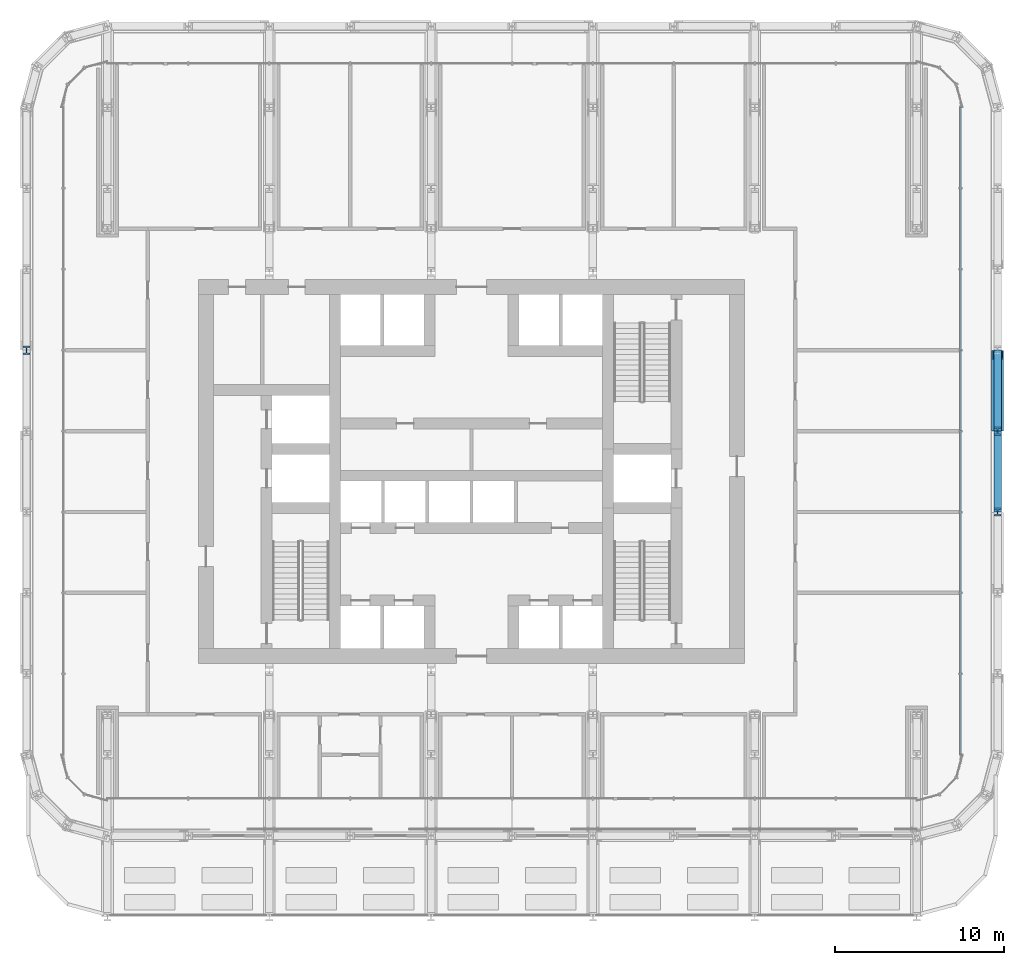
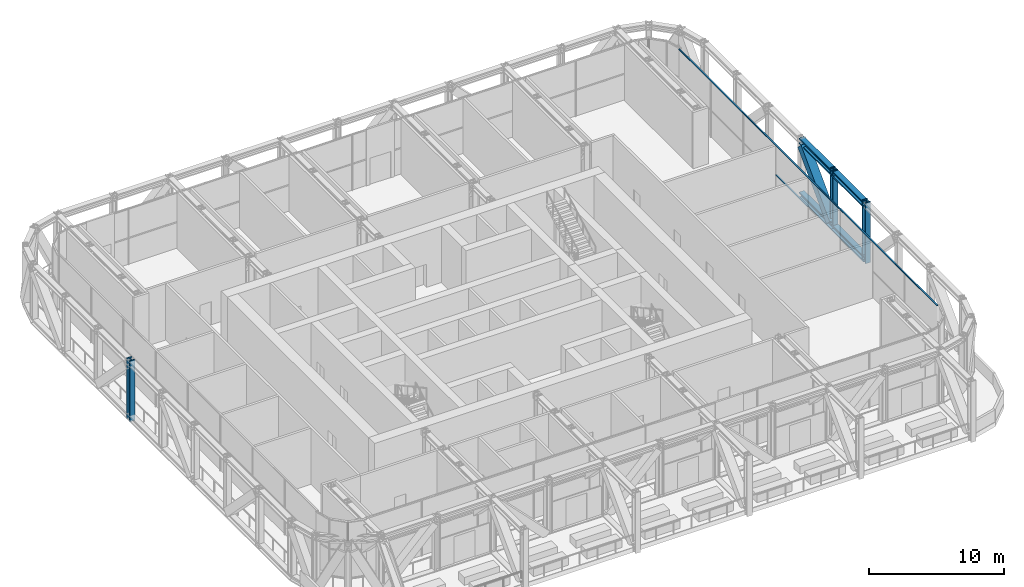
# One storey, part 7 of 23: 10 members, 1 element without a shape of its own.
"""IFC4 building model written with IfcOpenShell, lengths in metres."""

from ifc_helpers import new_model, si_unit, direction, frame, origin, origin_2d, place, context, subcontext, project, spatial, rectangle, hollow_rectangle, i_section, extrude, material, layer, layer_set, material_profile, profile_set, type_object, element, aggregate, save


model = new_model("IFC4")

# Units and contexts
model_context = context("Model", 3, precision=1e-05, world=origin(), true_north=direction((0.0, 1.0)))
body_context = subcontext(model_context, "Body", "Model", "MODEL_VIEW")
ifc_project = project(units=[si_unit("LENGTHUNIT", "METRE"), si_unit("AREAUNIT", "SQUARE_METRE"), si_unit("VOLUMEUNIT", "CUBIC_METRE"), si_unit("PLANEANGLEUNIT", "RADIAN"), si_unit("MASSUNIT", "GRAM", prefix="KILO")], contexts=[model_context])

# Site, building, storey
site_placement = place(None, origin())
site = spatial("IfcSite", under=ifc_project, at=site_placement, CompositionType="ELEMENT")
building_placement = place(site_placement, origin())
building = spatial("IfcBuilding", under=site, at=building_placement, Name="Madar Terraces", CompositionType="ELEMENT")
storey_placement = place(building_placement, frame((0.0, 0.0, 83.800048828125)))
storey = spatial("IfcBuildingStorey", under=building, at=storey_placement, Name="L21", CompositionType="ELEMENT", Elevation=83.800048828125)

# Members
ifc_material_1 = material(Name="Steel ASTM A913 Grade 65", Category="steel")
ifc_material_profile_1 = material_profile(ifc_material_1, i_section(OverallWidth=0.449462890625, OverallDepth=0.548583984375, WebThickness=0.07177734375, FlangeThickness=0.11474609375, at=origin_2d()), Name="W14x665")
ifc_profile_set_1 = profile_set([ifc_material_profile_1], Name="Steel ASTM A913 Grade 65")
member_type_1 = type_object("IfcMemberType", Name="BC3 W14x665", PredefinedType="CHORD", material=ifc_profile_set_1)
for number, where, z_axis, x_axis, name in (
    (1, (62.39990234375, 24.0, -0.145751953125), (0.0, 1.0, 0.0), (-1.0, 0.0, 0.0), "Exoskeleton truss ring bottom chord BC3"),
    (2, (62.39990234375, 28.800048828125, -0.145751953125), (0.0, 1.0, 0.0), (-1.0, 0.0, 0.0), "Exoskeleton truss ring bottom chord BC3"),
):
    element("IfcMember", number, at=place(storey_placement, frame(where, z_axis=z_axis, x_axis=x_axis)), inside=storey, type_object=member_type_1, Name=name, PredefinedType="CHORD", context=body_context, shape_type="SweptSolid", body=[
        extrude(i_section(OverallWidth=0.449462890625, OverallDepth=0.548583984375, WebThickness=0.07177734375, FlangeThickness=0.11474609375, at=origin_2d()), origin(), (0.0, 0.0, 1.0), 4.800048828125),
    ])

# Curtain wall, members
ifc_material_2 = material(Name="Glass, ceramic frit dark grey, with black aluminium frame", Category="aluminium")
ifc_layer = layer(ifc_material_2, 0.199951171875)
ifc_layer_set = layer_set([ifc_layer], Name="Facade curtain wall, tall glazing")
curtain_wall_type = type_object("IfcCurtainWallType", Name="Facade curtain wall, tall glazing", PredefinedType="NOTDEFINED", material=ifc_layer_set)
curtain_wall_placement = place(storey_placement, origin())
curtain_wall = element("IfcCurtainWall", 3, at=curtain_wall_placement, inside=storey, type_object=curtain_wall_type, Name="Outer skin curtain wall east bay 1", PredefinedType="NOTDEFINED")
ifc_material_3 = material(Name="Aluminium, black anodised", Category="aluminium")
ifc_material_profile_2 = material_profile(ifc_material_3, rectangle(XDim=0.1201171875, YDim=0.06005859375, at=origin_2d()), Name="Facade transom 60x120")
ifc_profile_set_2 = profile_set([ifc_material_profile_2], Name="Aluminium, black anodised")
member_type_2 = type_object("IfcMemberType", Name="Facade transom 60x120", PredefinedType="USERDEFINED", material=ifc_profile_set_2)
member_1_placement = place(storey_placement, frame((60.199951171875, 9.60009765625, 5.070068359375), z_axis=(0.0, 1.0, 0.0), x_axis=(-1.0, 0.0, 0.0)))
member_1 = element("IfcMember", 4, at=member_1_placement, type_object=member_type_2, Name="Transom 1", ObjectType="TRANSOM", PredefinedType="USERDEFINED", context=body_context, shape_type="SweptSolid", body=[
    extrude(rectangle(XDim=0.1201171875, YDim=0.06005859375, at=origin_2d()), origin(), (0.0, 0.0, 1.0), 38.39990234375),
])
member_2_placement = place(storey_placement, frame((60.199951171875, 28.830078125, 2.39990234375), z_axis=(0.0, 1.0, 0.0), x_axis=(-1.0, 0.0, 0.0)))
member_2 = element("IfcMember", 5, at=member_2_placement, type_object=member_type_2, Name="Transom 6", ObjectType="TRANSOM", PredefinedType="USERDEFINED", context=body_context, shape_type="SweptSolid", body=[
    extrude(rectangle(XDim=0.1201171875, YDim=0.06005859375, at=origin_2d()), origin(), (0.0, 0.0, 1.0), 4.739990234375),
])
aggregate(curtain_wall, [member_1, member_2])

# Members
ifc_material_4 = material(Name="Steel ASTM A913 Grade 65", Category="steel")
ifc_material_profile_3 = material_profile(ifc_material_4, i_section(OverallWidth=0.44189453125, OverallDepth=0.53076171875, WebThickness=0.06591796875, FlangeThickness=0.105712890625, at=origin_2d()), Name="W14x605")
ifc_profile_set_3 = profile_set([ifc_material_profile_3], Name="Steel ASTM A913 Grade 65")
member_type_3 = type_object("IfcMemberType", Name="TC3 W14x605", PredefinedType="CHORD", material=ifc_profile_set_3)
for number, where, z_axis, x_axis, name in (
    (6, (62.39990234375, 24.0, 4.764404296875), (0.0, 1.0, 0.0), (-1.0, 0.0, 0.0), "Exoskeleton truss ring top chord TC3"),
    (7, (62.39990234375, 28.800048828125, 4.764404296875), (0.0, 1.0, 0.0), (-1.0, 0.0, 0.0), "Exoskeleton truss ring top chord TC3"),
):
    element("IfcMember", number, at=place(storey_placement, frame(where, z_axis=z_axis, x_axis=x_axis)), inside=storey, type_object=member_type_3, Name=name, PredefinedType="CHORD", context=body_context, shape_type="SweptSolid", body=[
        extrude(i_section(OverallWidth=0.44189453125, OverallDepth=0.53076171875, WebThickness=0.06591796875, FlangeThickness=0.105712890625, at=origin_2d()), origin(), (0.0, 0.0, 1.0), 4.800048828125),
    ])
ifc_material_5 = material(Name="Steel ASTM A572 Grade 50", Category="steel")
ifc_material_profile_4 = material_profile(ifc_material_5, hollow_rectangle(XDim=0.699951171875, YDim=0.699951171875, WallThickness=0.070068359375, at=origin_2d()), Name="BOX700x700x70")
ifc_profile_set_4 = profile_set([ifc_material_profile_4], Name="Steel ASTM A572 Grade 50")
member_type_4 = type_object("IfcMemberType", Name="TD3 BOX700x700x70", PredefinedType="BRACE", material=ifc_profile_set_4)
member_3_placement = place(storey_placement, frame((62.39990234375, 29.068115234375, 0.128662109375), z_axis=(0.0, 0.699052279579, 0.715070563242), x_axis=(-1.0, 0.0, 0.0)))
element("IfcMember", 8, at=member_3_placement, inside=storey, type_object=member_type_4, Name="Exoskeleton truss ring diagonal TD3", PredefinedType="BRACE", context=body_context, shape_type="SweptSolid", body=[
    extrude(hollow_rectangle(XDim=0.699951171875, YDim=0.699951171875, WallThickness=0.070068359375, at=origin_2d()), origin(), (0.0, 0.0, 1.0), 6.11181640625),
])
ifc_material_6 = material(Name="Steel ASTM A913 Grade 65", Category="steel")
ifc_material_profile_5 = material_profile(ifc_material_6, i_section(OverallWidth=0.431884765625, OverallDepth=0.497802734375, WebThickness=0.0556640625, FlangeThickness=0.0888671875, at=origin_2d()), Name="W14x500")
ifc_profile_set_5 = profile_set([ifc_material_profile_5], Name="Steel ASTM A913 Grade 65")
member_type_5 = type_object("IfcMemberType", Name="TV3 W14x500", PredefinedType="POST", material=ifc_profile_set_5)
member_4_placement = place(storey_placement, frame((62.39990234375, 24.0, -0.420166015625), z_axis=(0.0, 0.0, 1.0), x_axis=(-1.0, 0.0, 0.0)))
element("IfcMember", 9, at=member_4_placement, inside=storey, type_object=member_type_5, Name="Exoskeleton truss ring post TV3", PredefinedType="POST", context=body_context, shape_type="SweptSolid", body=[
    extrude(i_section(OverallWidth=0.431884765625, OverallDepth=0.497802734375, WebThickness=0.0556640625, FlangeThickness=0.0888671875, at=origin_2d()), origin(), (0.0, 0.0, 1.0), 5.52001953125),
])
member_5_placement = place(storey_placement, frame((62.39990234375, 28.800048828125, 0.128662109375), z_axis=(0.0, 0.0, 1.0), x_axis=(-1.0, 0.0, 0.0)))
element("IfcMember", 10, at=member_5_placement, inside=storey, type_object=member_type_5, Name="Exoskeleton truss ring post TV3", PredefinedType="POST", context=body_context, shape_type="SweptSolid", body=[
    extrude(i_section(OverallWidth=0.431884765625, OverallDepth=0.497802734375, WebThickness=0.0556640625, FlangeThickness=0.0888671875, at=origin_2d()), origin(), (0.0, 0.0, 1.0), 4.97119140625),
])
member_6_placement = place(storey_placement, frame((4.800048828125, 33.60009765625, -0.420166015625), z_axis=(0.0, 0.0, 1.0), x_axis=(1.0, 0.0, 0.0)))
element("IfcMember", 11, at=member_6_placement, inside=storey, type_object=member_type_5, Name="Exoskeleton truss ring post TV3", PredefinedType="POST", context=body_context, shape_type="SweptSolid", body=[
    extrude(i_section(OverallWidth=0.431884765625, OverallDepth=0.497802734375, WebThickness=0.0556640625, FlangeThickness=0.0888671875, at=origin_2d()), origin(), (0.0, 0.0, 1.0), 5.52001953125),
])

save(model, "model.ifc")
